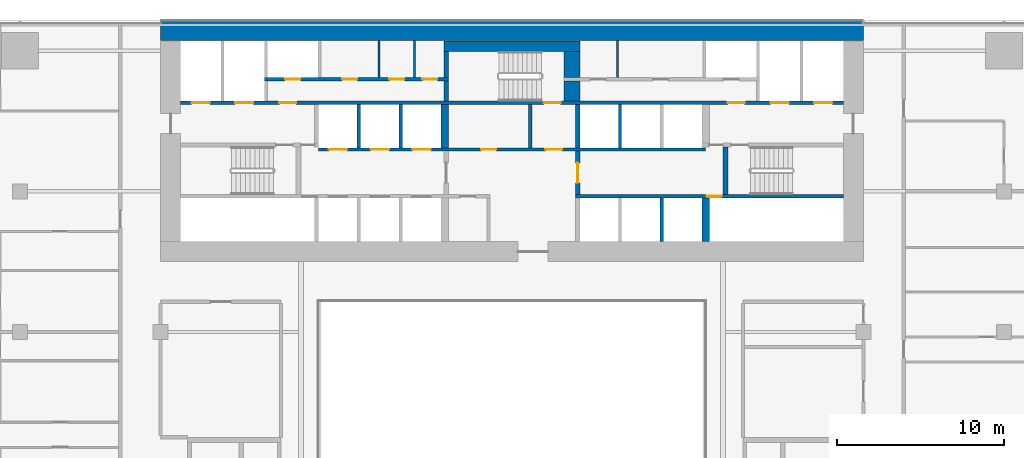
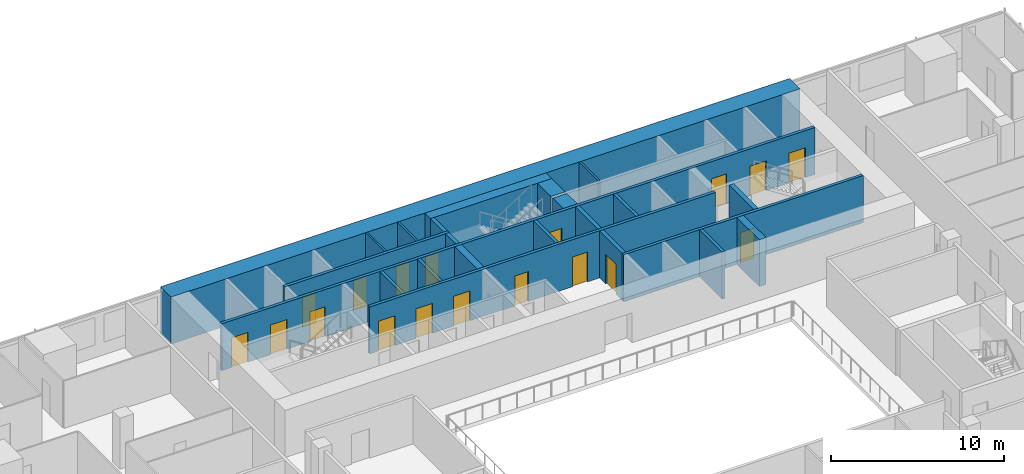
# One storey, part 22 of 28: 23 walls, 18 doors, 18 openings.
"""IFC4 building model written with IfcOpenShell, lengths in metres."""

from ifc_helpers import new_model, si_unit, direction, frame, frame_2d, origin, place, context, subcontext, project, spatial, rectangle, extrude, material, layer, layer_set, type_object, element, fill, save


model = new_model("IFC4")

# Units and contexts
model_context = context("Model", 3, precision=1e-05, world=origin(), true_north=direction((0.0, 1.0)))
body_context = subcontext(model_context, "Body", "Model", "MODEL_VIEW")
ifc_project = project(units=[si_unit("LENGTHUNIT", "METRE"), si_unit("AREAUNIT", "SQUARE_METRE"), si_unit("VOLUMEUNIT", "CUBIC_METRE"), si_unit("PLANEANGLEUNIT", "RADIAN"), si_unit("MASSUNIT", "GRAM", prefix="KILO")], contexts=[model_context])

# Site, building, storey
site_placement = place(None, origin())
site = spatial("IfcSite", under=ifc_project, at=site_placement, CompositionType="ELEMENT")
building_placement = place(site_placement, origin())
building = spatial("IfcBuilding", under=site, at=building_placement, Name="Saffron Gate Tower", CompositionType="ELEMENT")
storey_placement = place(building_placement, frame((0.0, 0.0, 51.60009765625)))
storey = spatial("IfcBuildingStorey", under=building, at=storey_placement, Name="L11", CompositionType="ELEMENT", Elevation=51.60009765625)

# Walls
ifc_material_1 = material(Name="Concrete C70", Category="concrete")
ifc_layer_1 = layer(ifc_material_1, 1.199951171875)
ifc_layer_set_1 = layer_set([ifc_layer_1], Name="CW1 RC core wall 1200 C70")
wall_type_1 = type_object("IfcWallType", Name="CW1 RC core wall 1200 C70", PredefinedType="SOLIDWALL", material=ifc_layer_set_1)
wall_1_placement = place(storey_placement, frame((66.60009765625, 75.0, 0.0), z_axis=(0.0, 0.0, 1.0), x_axis=(1.0, 0.0, 0.0)))
element("IfcWall", 1, at=wall_1_placement, inside=storey, type_object=wall_type_1, Name="Wall CW1-L11-2", PredefinedType="SOLIDWALL", context=body_context, shape_type="SweptSolid", body=[
    extrude(rectangle(XDim=42.0, YDim=1.199951171875, at=frame_2d((21.0, 0.0))), origin(), (0.0, 0.0, 1.0), 3.31982421875),
])
ifc_material_2 = material(Name="Gypsum board partition on steel studs", Category="steel")
ifc_layer_2 = layer(ifc_material_2, 0.199951171875)
ifc_layer_set_2 = layer_set([ifc_layer_2], Name="CW10 Core partition 200")
wall_type_2 = type_object("IfcWallType", Name="CW10 Core partition 200", PredefinedType="PARTITIONING", material=ifc_layer_set_2)
wall_2_placement = place(storey_placement, frame((88.699951171875, 68.0, 0.0), z_axis=(0.0, 0.0, 1.0), x_axis=(0.0, 1.0, 0.0)))
element("IfcWall", 2, at=wall_2_placement, inside=storey, type_object=wall_type_2, Name="Wall CW10-L11-24", PredefinedType="PARTITIONING", context=body_context, shape_type="SweptSolid", body=[
    extrude(rectangle(XDim=2.60009765625, YDim=0.199951171875, at=frame_2d((1.300048828125, 0.0))), origin(), (0.0, 0.0, 1.0), 3.31982421875),
])

# Wall, opening, door
ifc_layer_3 = layer(ifc_material_1, 0.25)
ifc_layer_set_3 = layer_set([ifc_layer_3], Name="CW2 RC core wall 250 C70")
wall_type_3 = type_object("IfcWallType", Name="CW2 RC core wall 250 C70", PredefinedType="SOLIDWALL", material=ifc_layer_set_3)
wall_3_placement = place(storey_placement, frame((91.52490234375, 65.199951171875, 0.0), z_axis=(0.0, 0.0, 1.0), x_axis=(0.0, 1.0, 0.0)))
wall_3 = element("IfcWall", 3, at=wall_3_placement, inside=storey, type_object=wall_type_3, Name="Wall CW2-L11-18", PredefinedType="SOLIDWALL", context=body_context, shape_type="SweptSolid", body=[
    extrude(rectangle(XDim=2.60009765625, YDim=0.25, at=frame_2d((1.300048828125, 0.0))), origin(), (0.0, 0.0, 1.0), 3.31982421875),
])
opening_1_placement = place(wall_3_placement, frame((0.699951171875, 0.0, 0.0)))
opening_1 = element("IfcOpeningElement", 4, at=opening_1_placement, cuts=wall_3, Name="Opening CR-01", PredefinedType="OPENING", context=body_context, shape_type="SweptSolid", body=[
    extrude(rectangle(XDim=1.199951171875, YDim=2.10009765625, at=frame_2d((0.60009765625, 1.050048828125))), frame((0.0, 0.135009765625, 0.0), z_axis=(0.0, -1.0, 0.0), x_axis=(1.0, 0.0, 0.0)), (0.0, 0.0, 1.0), 0.27001953125),
])
ifc_material_3 = material(Name="Steel fire door set", Category="steel")
door_type_1 = type_object("IfcDoorType", Name="CD3 Lobby door 1200x2100 EI 120", OperationType="NOTDEFINED", PredefinedType="DOOR", material=ifc_material_3)
door_1_placement = place(opening_1_placement, origin())
door_1 = element("IfcDoor", 5, at=door_1_placement, inside=storey, type_object=door_type_1, Name="DOOR CR-01", OperationType="SINGLE_SWING_RIGHT", OverallHeight=2.10009765625, OverallWidth=1.199951171875, PredefinedType="DOOR", context=body_context, shape_type="SweptSolid", body=[
    extrude(rectangle(XDim=1.199951171875, YDim=2.10009765625, at=frame_2d((0.60009765625, 1.050048828125))), frame((0.0, 0.02490234375, 0.0), z_axis=(0.0, -1.0, 0.0), x_axis=(1.0, 0.0, 0.0)), (0.0, 0.0, 1.0), 0.050048828125),
])
fill(opening_1, door_1)

# Walls
wall_4_placement = place(storey_placement, frame((91.52490234375, 68.0, 0.0), z_axis=(0.0, 0.0, 1.0), x_axis=(0.0, 1.0, 0.0)))
element("IfcWall", 6, at=wall_4_placement, inside=storey, type_object=wall_type_3, Name="Wall CW2-L11-25", PredefinedType="SOLIDWALL", context=body_context, shape_type="SweptSolid", body=[
    extrude(rectangle(XDim=2.60009765625, YDim=0.25, at=frame_2d((1.300048828125, 0.0))), origin(), (0.0, 0.0, 1.0), 3.31982421875),
])
wall_5_placement = place(storey_placement, frame((83.675048828125, 70.800048828125, 0.0), z_axis=(0.0, 0.0, 1.0), x_axis=(0.0, 1.0, 0.0)))
element("IfcWall", 7, at=wall_5_placement, inside=storey, type_object=wall_type_3, Name="Wall CW2-L11-36", PredefinedType="SOLIDWALL", context=body_context, shape_type="SweptSolid", body=[
    extrude(rectangle(XDim=1.199951171875, YDim=0.25, at=frame_2d((0.60009765625, 0.0))), origin(), (0.0, 0.0, 1.0), 3.31982421875),
])
wall_6_placement = place(storey_placement, frame((83.675048828125, 72.199951171875, 0.0), z_axis=(0.0, 0.0, 1.0), x_axis=(0.0, 1.0, 0.0)))
element("IfcWall", 8, at=wall_6_placement, inside=storey, type_object=wall_type_3, Name="Wall CW2-L11-46", PredefinedType="SOLIDWALL", context=body_context, shape_type="SweptSolid", body=[
    extrude(rectangle(XDim=1.550048828125, YDim=0.25, at=frame_2d((0.77490234375, 0.0))), origin(), (0.0, 0.0, 1.0), 3.31982421875),
])
ifc_layer_4 = layer(ifc_material_1, 0.199951171875)
ifc_layer_set_4 = layer_set([ifc_layer_4], Name="CW3 RC core wall 200 C70")
wall_type_4 = type_object("IfcWallType", Name="CW3 RC core wall 200 C70", PredefinedType="SOLIDWALL", material=ifc_layer_set_4)
wall_7_placement = place(storey_placement, frame((96.550048828125, 62.39990234375, 0.0), z_axis=(0.0, 0.0, 1.0), x_axis=(0.0, 1.0, 0.0)))
element("IfcWall", 9, at=wall_7_placement, inside=storey, type_object=wall_type_4, Name="Wall CW3-L11-12", PredefinedType="SOLIDWALL", context=body_context, shape_type="SweptSolid", body=[
    extrude(rectangle(XDim=2.60009765625, YDim=0.199951171875, at=frame_2d((1.300048828125, 0.0))), origin(), (0.0, 0.0, 1.0), 3.31982421875),
])

# Wall, opening, door
wall_8_placement = place(storey_placement, frame((91.39990234375, 65.10009765625, 0.0), z_axis=(0.0, 0.0, 1.0), x_axis=(1.0, 0.0, 0.0)))
wall_8 = element("IfcWall", 10, at=wall_8_placement, inside=storey, type_object=wall_type_4, Name="Wall CW3-L11-15", PredefinedType="SOLIDWALL", context=body_context, shape_type="SweptSolid", body=[
    extrude(rectangle(XDim=16.0, YDim=0.199951171875, at=frame_2d((8.0, 0.0))), origin(), (0.0, 0.0, 1.0), 3.31982421875),
])
opening_2_placement = place(wall_8_placement, frame((7.830078125, 0.0, 0.0)))
opening_2 = element("IfcOpeningElement", 11, at=opening_2_placement, cuts=wall_8, Name="Opening CR-48", PredefinedType="OPENING", context=body_context, shape_type="SweptSolid", body=[
    extrude(rectangle(XDim=0.89990234375, YDim=2.10009765625, at=frame_2d((0.449951171875, 1.050048828125))), frame((0.0, 0.10986328125, 0.0), z_axis=(0.0, -1.0, 0.0), x_axis=(1.0, 0.0, 0.0)), (0.0, 0.0, 1.0), 0.219970703125),
])
door_type_2 = type_object("IfcDoorType", Name="CD2 Riser door 900x2100 EI 60", OperationType="NOTDEFINED", PredefinedType="DOOR", material=ifc_material_3)
door_2_placement = place(opening_2_placement, origin())
door_2 = element("IfcDoor", 12, at=door_2_placement, inside=storey, type_object=door_type_2, Name="DOOR CR-48", OperationType="SINGLE_SWING_RIGHT", OverallHeight=2.10009765625, OverallWidth=0.89990234375, PredefinedType="DOOR", context=body_context, shape_type="SweptSolid", body=[
    extrude(rectangle(XDim=0.89990234375, YDim=2.10009765625, at=frame_2d((0.449951171875, 1.050048828125))), frame((0.0, 0.02490234375, 0.0), z_axis=(0.0, -1.0, 0.0), x_axis=(1.0, 0.0, 0.0)), (0.0, 0.0, 1.0), 0.050048828125),
])
fill(opening_2, door_2)

# Wall, openings, doors
wall_9_placement = place(storey_placement, frame((76.050048828125, 67.89990234375, 0.0), z_axis=(0.0, 0.0, 1.0), x_axis=(1.0, 0.0, 0.0)))
wall_9 = element("IfcWall", 13, at=wall_9_placement, inside=storey, type_object=wall_type_4, Name="Wall CW3-L11-20", PredefinedType="SOLIDWALL", context=body_context, shape_type="SweptSolid", body=[
    extrude(rectangle(XDim=23.099853515625, YDim=0.199951171875, at=frame_2d((11.5498046875, 0.0))), origin(), (0.0, 0.0, 1.0), 3.31982421875),
])
opening_3_placement = place(wall_9_placement, frame((0.60009765625, 0.0, 0.0)))
opening_3 = element("IfcOpeningElement", 14, at=opening_3_placement, cuts=wall_9, Name="Opening LD-LR4", PredefinedType="OPENING", context=body_context, shape_type="SweptSolid", body=[
    extrude(rectangle(XDim=1.10009765625, YDim=2.10009765625, at=frame_2d((0.550048828125, 1.050048828125))), frame((0.0, 0.10986328125, 0.0), z_axis=(0.0, -1.0, 0.0), x_axis=(1.0, 0.0, 0.0)), (0.0, 0.0, 1.0), 0.219970703125),
])
opening_4_placement = place(wall_9_placement, frame((3.10009765625, 0.0, 0.0)))
opening_4 = element("IfcOpeningElement", 15, at=opening_4_placement, cuts=wall_9, Name="Opening LD-LR5", PredefinedType="OPENING", context=body_context, shape_type="SweptSolid", body=[
    extrude(rectangle(XDim=1.10009765625, YDim=2.10009765625, at=frame_2d((0.550048828125, 1.050048828125))), frame((0.0, 0.10986328125, 0.0), z_axis=(0.0, -1.0, 0.0), x_axis=(1.0, 0.0, 0.0)), (0.0, 0.0, 1.0), 0.219970703125),
])
opening_5_placement = place(wall_9_placement, frame((5.60009765625, 0.0, 0.0)))
opening_5 = element("IfcOpeningElement", 16, at=opening_5_placement, cuts=wall_9, Name="Opening LD-LR6", PredefinedType="OPENING", context=body_context, shape_type="SweptSolid", body=[
    extrude(rectangle(XDim=1.10009765625, YDim=2.10009765625, at=frame_2d((0.550048828125, 1.050048828125))), frame((0.0, 0.10986328125, 0.0), z_axis=(0.0, -1.0, 0.0), x_axis=(1.0, 0.0, 0.0)), (0.0, 0.0, 1.0), 0.219970703125),
])
opening_6_placement = place(wall_9_placement, frame((9.699951171875, 0.0, 0.0)))
opening_6 = element("IfcOpeningElement", 17, at=opening_6_placement, cuts=wall_9, Name="Opening CR-67", PredefinedType="OPENING", context=body_context, shape_type="SweptSolid", body=[
    extrude(rectangle(XDim=0.89990234375, YDim=2.10009765625, at=frame_2d((0.449951171875, 1.050048828125))), frame((0.0, 0.10986328125, 0.0), z_axis=(0.0, -1.0, 0.0), x_axis=(1.0, 0.0, 0.0)), (0.0, 0.0, 1.0), 0.219970703125),
])
opening_7_placement = place(wall_9_placement, frame((13.550048828125, 0.0, 0.0)))
opening_7 = element("IfcOpeningElement", 18, at=opening_7_placement, cuts=wall_9, Name="Opening CR-02", PredefinedType="OPENING", context=body_context, shape_type="SweptSolid", body=[
    extrude(rectangle(XDim=1.0, YDim=2.10009765625, at=frame_2d((0.5, 1.050048828125))), frame((0.0, 0.10986328125, 0.0), z_axis=(0.0, -1.0, 0.0), x_axis=(1.0, 0.0, 0.0)), (0.0, 0.0, 1.0), 0.219970703125),
])
door_type_3 = type_object("IfcDoorType", Name="CD4 Lobby door 1000x2100 EI 120", OperationType="NOTDEFINED", PredefinedType="DOOR", material=ifc_material_3)
door_3_placement = place(opening_7_placement, origin())
door_3 = element("IfcDoor", 19, at=door_3_placement, inside=storey, type_object=door_type_3, Name="DOOR CR-02", OperationType="SINGLE_SWING_LEFT", OverallHeight=2.10009765625, OverallWidth=1.0, PredefinedType="DOOR", context=body_context, shape_type="SweptSolid", body=[
    extrude(rectangle(XDim=1.0, YDim=2.10009765625, at=frame_2d((0.5, 1.050048828125))), frame((0.0, 0.02490234375, 0.0), z_axis=(0.0, -1.0, 0.0), x_axis=(1.0, 0.0, 0.0)), (0.0, 0.0, 1.0), 0.050048828125),
])
fill(opening_7, door_3)
door_type_4 = type_object("IfcDoorType", Name="CD9 Room door 900x2100 EI 60", OperationType="NOTDEFINED", PredefinedType="DOOR", material=ifc_material_3)
door_4_placement = place(opening_6_placement, origin())
door_4 = element("IfcDoor", 20, at=door_4_placement, inside=storey, type_object=door_type_4, Name="DOOR CR-67", OperationType="SINGLE_SWING_LEFT", OverallHeight=2.10009765625, OverallWidth=0.89990234375, PredefinedType="DOOR", context=body_context, shape_type="SweptSolid", body=[
    extrude(rectangle(XDim=0.89990234375, YDim=2.10009765625, at=frame_2d((0.449951171875, 1.050048828125))), frame((0.0, 0.02490234375, 0.0), z_axis=(0.0, -1.0, 0.0), x_axis=(1.0, 0.0, 0.0)), (0.0, 0.0, 1.0), 0.050048828125),
])
fill(opening_6, door_4)
ifc_material_4 = material(Name="Stainless steel landing door", Category="steel")
door_type_5 = type_object("IfcDoorType", Name="LD Lift landing door 1100x2100 EI 120", OperationType="SLIDING_TO_LEFT", PredefinedType="DOOR", material=ifc_material_4)
door_5_placement = place(opening_3_placement, origin())
door_5 = element("IfcDoor", 21, at=door_5_placement, inside=storey, type_object=door_type_5, Name="LANDING DOOR LD-LR4", OperationType="SLIDING_TO_RIGHT", OverallHeight=2.10009765625, OverallWidth=1.10009765625, PredefinedType="DOOR", context=body_context, shape_type="SweptSolid", body=[
    extrude(rectangle(XDim=1.10009765625, YDim=2.10009765625, at=frame_2d((0.550048828125, 1.050048828125))), frame((0.0, 0.02490234375, 0.0), z_axis=(0.0, -1.0, 0.0), x_axis=(1.0, 0.0, 0.0)), (0.0, 0.0, 1.0), 0.050048828125),
])
fill(opening_3, door_5)
door_6_placement = place(opening_4_placement, origin())
door_6 = element("IfcDoor", 22, at=door_6_placement, inside=storey, type_object=door_type_5, Name="LANDING DOOR LD-LR5", OperationType="SLIDING_TO_RIGHT", OverallHeight=2.10009765625, OverallWidth=1.10009765625, PredefinedType="DOOR", context=body_context, shape_type="SweptSolid", body=[
    extrude(rectangle(XDim=1.10009765625, YDim=2.10009765625, at=frame_2d((0.550048828125, 1.050048828125))), frame((0.0, 0.02490234375, 0.0), z_axis=(0.0, -1.0, 0.0), x_axis=(1.0, 0.0, 0.0)), (0.0, 0.0, 1.0), 0.050048828125),
])
fill(opening_4, door_6)
door_7_placement = place(opening_5_placement, origin())
door_7 = element("IfcDoor", 23, at=door_7_placement, inside=storey, type_object=door_type_5, Name="LANDING DOOR LD-LR6", OperationType="SLIDING_TO_RIGHT", OverallHeight=2.10009765625, OverallWidth=1.10009765625, PredefinedType="DOOR", context=body_context, shape_type="SweptSolid", body=[
    extrude(rectangle(XDim=1.10009765625, YDim=2.10009765625, at=frame_2d((0.550048828125, 1.050048828125))), frame((0.0, 0.02490234375, 0.0), z_axis=(0.0, -1.0, 0.0), x_axis=(1.0, 0.0, 0.0)), (0.0, 0.0, 1.0), 0.050048828125),
])
fill(opening_5, door_7)

# Walls
for number, where, z_axis, x_axis, name in (
    (24, (78.449951171875, 68.0, 0.0), (0.0, 0.0, 1.0), (0.0, 1.0, 0.0), "Wall CW3-L11-21"),
    (25, (80.949951171875, 68.0, 0.0), (0.0, 0.0, 1.0), (0.0, 1.0, 0.0), "Wall CW3-L11-22"),
    (26, (94.050048828125, 68.0, 0.0), (0.0, 0.0, 1.0), (0.0, 1.0, 0.0), "Wall CW3-L11-26"),
):
    element("IfcWall", number, at=place(storey_placement, frame(where, z_axis=z_axis, x_axis=x_axis)), inside=storey, type_object=wall_type_4, Name=name, PredefinedType="SOLIDWALL", context=body_context, shape_type="SweptSolid", body=[
        extrude(rectangle(XDim=2.60009765625, YDim=0.199951171875, at=frame_2d((1.300048828125, 0.0))), origin(), (0.0, 0.0, 1.0), 3.31982421875),
    ])

# Wall, openings, doors
wall_10_placement = place(storey_placement, frame((67.800048828125, 70.699951171875, 0.0), z_axis=(0.0, 0.0, 1.0), x_axis=(1.0, 0.0, 0.0)))
wall_10 = element("IfcWall", 27, at=wall_10_placement, inside=storey, type_object=wall_type_4, Name="Wall CW3-L11-33", PredefinedType="SOLIDWALL", context=body_context, shape_type="SweptSolid", body=[
    extrude(rectangle(XDim=39.599853515625, YDim=0.199951171875, at=frame_2d((19.7998046875, 0.0))), origin(), (0.0, 0.0, 1.0), 3.31982421875),
])
opening_8_placement = place(wall_10_placement, frame((0.64990234375, 0.0, 0.0)))
opening_8 = element("IfcOpeningElement", 28, at=opening_8_placement, cuts=wall_10, Name="Opening LD-FF1", PredefinedType="OPENING", context=body_context, shape_type="SweptSolid", body=[
    extrude(rectangle(XDim=1.10009765625, YDim=2.10009765625, at=frame_2d((0.550048828125, 1.050048828125))), frame((0.0, 0.10986328125, 0.0), z_axis=(0.0, -1.0, 0.0), x_axis=(1.0, 0.0, 0.0)), (0.0, 0.0, 1.0), 0.219970703125),
])
opening_9_placement = place(wall_10_placement, frame((3.25, 0.0, 0.0)))
opening_9 = element("IfcOpeningElement", 29, at=opening_9_placement, cuts=wall_10, Name="Opening LD-SV1", PredefinedType="OPENING", context=body_context, shape_type="SweptSolid", body=[
    extrude(rectangle(XDim=1.10009765625, YDim=2.10009765625, at=frame_2d((0.550048828125, 1.050048828125))), frame((0.0, 0.10986328125, 0.0), z_axis=(0.0, -1.0, 0.0), x_axis=(1.0, 0.0, 0.0)), (0.0, 0.0, 1.0), 0.219970703125),
])
opening_10_placement = place(wall_10_placement, frame((5.89990234375, 0.0, 0.0)))
opening_10 = element("IfcOpeningElement", 30, at=opening_10_placement, cuts=wall_10, Name="Opening CR-03", PredefinedType="OPENING", context=body_context, shape_type="SweptSolid", body=[
    extrude(rectangle(XDim=1.0, YDim=2.10009765625, at=frame_2d((0.5, 1.050048828125))), frame((0.0, 0.10986328125, 0.0), z_axis=(0.0, -1.0, 0.0), x_axis=(1.0, 0.0, 0.0)), (0.0, 0.0, 1.0), 0.219970703125),
])
opening_11_placement = place(wall_10_placement, frame((21.699951171875, 0.0, 0.0)))
opening_11 = element("IfcOpeningElement", 31, at=opening_11_placement, cuts=wall_10, Name="Opening CR-17", PredefinedType="OPENING", context=body_context, shape_type="SweptSolid", body=[
    extrude(rectangle(XDim=1.0, YDim=2.10009765625, at=frame_2d((0.5, 1.050048828125))), frame((0.0, 0.10986328125, 0.0), z_axis=(0.0, -1.0, 0.0), x_axis=(1.0, 0.0, 0.0)), (0.0, 0.0, 1.0), 0.219970703125),
])
opening_12_placement = place(wall_10_placement, frame((32.699951171875, 0.0, 0.0)))
opening_12 = element("IfcOpeningElement", 32, at=opening_12_placement, cuts=wall_10, Name="Opening CR-04", PredefinedType="OPENING", context=body_context, shape_type="SweptSolid", body=[
    extrude(rectangle(XDim=1.0, YDim=2.10009765625, at=frame_2d((0.5, 1.050048828125))), frame((0.0, 0.10986328125, 0.0), z_axis=(0.0, -1.0, 0.0), x_axis=(1.0, 0.0, 0.0)), (0.0, 0.0, 1.0), 0.219970703125),
])
opening_13_placement = place(wall_10_placement, frame((35.25, 0.0, 0.0)))
opening_13 = element("IfcOpeningElement", 33, at=opening_13_placement, cuts=wall_10, Name="Opening LD-SV2", PredefinedType="OPENING", context=body_context, shape_type="SweptSolid", body=[
    extrude(rectangle(XDim=1.10009765625, YDim=2.10009765625, at=frame_2d((0.550048828125, 1.050048828125))), frame((0.0, 0.10986328125, 0.0), z_axis=(0.0, -1.0, 0.0), x_axis=(1.0, 0.0, 0.0)), (0.0, 0.0, 1.0), 0.219970703125),
])
opening_14_placement = place(wall_10_placement, frame((37.85009765625, 0.0, 0.0)))
opening_14 = element("IfcOpeningElement", 34, at=opening_14_placement, cuts=wall_10, Name="Opening LD-FF2", PredefinedType="OPENING", context=body_context, shape_type="SweptSolid", body=[
    extrude(rectangle(XDim=1.10009765625, YDim=2.10009765625, at=frame_2d((0.550048828125, 1.050048828125))), frame((0.0, 0.10986328125, 0.0), z_axis=(0.0, -1.0, 0.0), x_axis=(1.0, 0.0, 0.0)), (0.0, 0.0, 1.0), 0.219970703125),
])
door_8_placement = place(opening_10_placement, origin())
door_8 = element("IfcDoor", 35, at=door_8_placement, inside=storey, type_object=door_type_3, Name="DOOR CR-03", OperationType="SINGLE_SWING_LEFT", OverallHeight=2.10009765625, OverallWidth=1.0, PredefinedType="DOOR", context=body_context, shape_type="SweptSolid", body=[
    extrude(rectangle(XDim=1.0, YDim=2.10009765625, at=frame_2d((0.5, 1.050048828125))), frame((0.0, 0.02490234375, 0.0), z_axis=(0.0, -1.0, 0.0), x_axis=(1.0, 0.0, 0.0)), (0.0, 0.0, 1.0), 0.050048828125),
])
fill(opening_10, door_8)
door_9_placement = place(opening_12_placement, origin())
door_9 = element("IfcDoor", 36, at=door_9_placement, inside=storey, type_object=door_type_3, Name="DOOR CR-04", OperationType="SINGLE_SWING_RIGHT", OverallHeight=2.10009765625, OverallWidth=1.0, PredefinedType="DOOR", context=body_context, shape_type="SweptSolid", body=[
    extrude(rectangle(XDim=1.0, YDim=2.10009765625, at=frame_2d((0.5, 1.050048828125))), frame((0.0, 0.02490234375, 0.0), z_axis=(0.0, -1.0, 0.0), x_axis=(1.0, 0.0, 0.0)), (0.0, 0.0, 1.0), 0.050048828125),
])
fill(opening_12, door_9)
door_type_6 = type_object("IfcDoorType", Name="CD5 Stair door 1000x2100 EI 120", OperationType="NOTDEFINED", PredefinedType="DOOR", material=ifc_material_3)
door_10_placement = place(opening_11_placement, origin())
door_10 = element("IfcDoor", 37, at=door_10_placement, inside=storey, type_object=door_type_6, Name="DOOR CR-17", OperationType="SINGLE_SWING_RIGHT", OverallHeight=2.10009765625, OverallWidth=1.0, PredefinedType="DOOR", context=body_context, shape_type="SweptSolid", body=[
    extrude(rectangle(XDim=1.0, YDim=2.10009765625, at=frame_2d((0.5, 1.050048828125))), frame((0.0, 0.02490234375, 0.0), z_axis=(0.0, -1.0, 0.0), x_axis=(1.0, 0.0, 0.0)), (0.0, 0.0, 1.0), 0.050048828125),
])
fill(opening_11, door_10)
door_11_placement = place(opening_8_placement, origin())
door_11 = element("IfcDoor", 38, at=door_11_placement, inside=storey, type_object=door_type_5, Name="LANDING DOOR LD-FF1", OperationType="SLIDING_TO_RIGHT", OverallHeight=2.10009765625, OverallWidth=1.10009765625, PredefinedType="DOOR", context=body_context, shape_type="SweptSolid", body=[
    extrude(rectangle(XDim=1.10009765625, YDim=2.10009765625, at=frame_2d((0.550048828125, 1.050048828125))), frame((0.0, 0.02490234375, 0.0), z_axis=(0.0, -1.0, 0.0), x_axis=(1.0, 0.0, 0.0)), (0.0, 0.0, 1.0), 0.050048828125),
])
fill(opening_8, door_11)
door_12_placement = place(opening_9_placement, origin())
door_12 = element("IfcDoor", 39, at=door_12_placement, inside=storey, type_object=door_type_5, Name="LANDING DOOR LD-SV1", OperationType="SLIDING_TO_RIGHT", OverallHeight=2.10009765625, OverallWidth=1.10009765625, PredefinedType="DOOR", context=body_context, shape_type="SweptSolid", body=[
    extrude(rectangle(XDim=1.10009765625, YDim=2.10009765625, at=frame_2d((0.550048828125, 1.050048828125))), frame((0.0, 0.02490234375, 0.0), z_axis=(0.0, -1.0, 0.0), x_axis=(1.0, 0.0, 0.0)), (0.0, 0.0, 1.0), 0.050048828125),
])
fill(opening_9, door_12)
door_13_placement = place(opening_13_placement, origin())
door_13 = element("IfcDoor", 40, at=door_13_placement, inside=storey, type_object=door_type_5, Name="LANDING DOOR LD-SV2", OperationType="SLIDING_TO_RIGHT", OverallHeight=2.10009765625, OverallWidth=1.10009765625, PredefinedType="DOOR", context=body_context, shape_type="SweptSolid", body=[
    extrude(rectangle(XDim=1.10009765625, YDim=2.10009765625, at=frame_2d((0.550048828125, 1.050048828125))), frame((0.0, 0.02490234375, 0.0), z_axis=(0.0, -1.0, 0.0), x_axis=(1.0, 0.0, 0.0)), (0.0, 0.0, 1.0), 0.050048828125),
])
fill(opening_13, door_13)
door_14_placement = place(opening_14_placement, origin())
door_14 = element("IfcDoor", 41, at=door_14_placement, inside=storey, type_object=door_type_5, Name="LANDING DOOR LD-FF2", OperationType="SLIDING_TO_RIGHT", OverallHeight=2.10009765625, OverallWidth=1.10009765625, PredefinedType="DOOR", context=body_context, shape_type="SweptSolid", body=[
    extrude(rectangle(XDim=1.10009765625, YDim=2.10009765625, at=frame_2d((0.550048828125, 1.050048828125))), frame((0.0, 0.02490234375, 0.0), z_axis=(0.0, -1.0, 0.0), x_axis=(1.0, 0.0, 0.0)), (0.0, 0.0, 1.0), 0.050048828125),
])
fill(opening_14, door_14)

wall_11_placement = place(storey_placement, frame((72.800048828125, 72.10009765625, 0.0), z_axis=(0.0, 0.0, 1.0), x_axis=(1.0, 0.0, 0.0)))
wall_11 = element("IfcWall", 42, at=wall_11_placement, inside=storey, type_object=wall_type_4, Name="Wall CW3-L11-40", PredefinedType="SOLIDWALL", context=body_context, shape_type="SweptSolid", body=[
    extrude(rectangle(XDim=11.0, YDim=0.199951171875, at=frame_2d((5.5, 0.0))), origin(), (0.0, 0.0, 1.0), 3.31982421875),
])
opening_15_placement = place(wall_11_placement, frame((1.25, 0.0, 0.0)))
opening_15 = element("IfcOpeningElement", 43, at=opening_15_placement, cuts=wall_11, Name="Opening CR-71", PredefinedType="OPENING", context=body_context, shape_type="SweptSolid", body=[
    extrude(rectangle(XDim=0.89990234375, YDim=2.10009765625, at=frame_2d((0.449951171875, 1.050048828125))), frame((0.0, 0.10986328125, 0.0), z_axis=(0.0, -1.0, 0.0), x_axis=(1.0, 0.0, 0.0)), (0.0, 0.0, 1.0), 0.219970703125),
])
opening_16_placement = place(wall_11_placement, frame((4.64990234375, 0.0, 0.0)))
opening_16 = element("IfcOpeningElement", 44, at=opening_16_placement, cuts=wall_11, Name="Opening CR-55", PredefinedType="OPENING", context=body_context, shape_type="SweptSolid", body=[
    extrude(rectangle(XDim=0.89990234375, YDim=2.10009765625, at=frame_2d((0.449951171875, 1.050048828125))), frame((0.0, 0.10986328125, 0.0), z_axis=(0.0, -1.0, 0.0), x_axis=(1.0, 0.0, 0.0)), (0.0, 0.0, 1.0), 0.219970703125),
])
opening_17_placement = place(wall_11_placement, frame((7.469970703125, 0.0, 0.0)))
opening_17 = element("IfcOpeningElement", 45, at=opening_17_placement, cuts=wall_11, Name="Opening CR-58", PredefinedType="OPENING", context=body_context, shape_type="SweptSolid", body=[
    extrude(rectangle(XDim=0.89990234375, YDim=2.10009765625, at=frame_2d((0.449951171875, 1.050048828125))), frame((0.0, 0.10986328125, 0.0), z_axis=(0.0, -1.0, 0.0), x_axis=(1.0, 0.0, 0.0)), (0.0, 0.0, 1.0), 0.219970703125),
])
opening_18_placement = place(wall_11_placement, frame((9.445068359375, 0.0, 0.0)))
opening_18 = element("IfcOpeningElement", 46, at=opening_18_placement, cuts=wall_11, Name="Opening CR-59", PredefinedType="OPENING", context=body_context, shape_type="SweptSolid", body=[
    extrude(rectangle(XDim=0.89990234375, YDim=2.10009765625, at=frame_2d((0.449951171875, 1.050048828125))), frame((0.0, 0.10986328125, 0.0), z_axis=(0.0, -1.0, 0.0), x_axis=(1.0, 0.0, 0.0)), (0.0, 0.0, 1.0), 0.219970703125),
])
door_15_placement = place(opening_15_placement, origin())
door_15 = element("IfcDoor", 47, at=door_15_placement, inside=storey, type_object=door_type_2, Name="DOOR CR-71", OperationType="SINGLE_SWING_LEFT", OverallHeight=2.10009765625, OverallWidth=0.89990234375, PredefinedType="DOOR", context=body_context, shape_type="SweptSolid", body=[
    extrude(rectangle(XDim=0.89990234375, YDim=2.10009765625, at=frame_2d((0.449951171875, 1.050048828125))), frame((0.0, 0.02490234375, 0.0), z_axis=(0.0, -1.0, 0.0), x_axis=(1.0, 0.0, 0.0)), (0.0, 0.0, 1.0), 0.050048828125),
])
fill(opening_15, door_15)
door_16_placement = place(opening_16_placement, origin())
door_16 = element("IfcDoor", 48, at=door_16_placement, inside=storey, type_object=door_type_4, Name="DOOR CR-55", OperationType="SINGLE_SWING_LEFT", OverallHeight=2.10009765625, OverallWidth=0.89990234375, PredefinedType="DOOR", context=body_context, shape_type="SweptSolid", body=[
    extrude(rectangle(XDim=0.89990234375, YDim=2.10009765625, at=frame_2d((0.449951171875, 1.050048828125))), frame((0.0, 0.02490234375, 0.0), z_axis=(0.0, -1.0, 0.0), x_axis=(1.0, 0.0, 0.0)), (0.0, 0.0, 1.0), 0.050048828125),
])
fill(opening_16, door_16)
door_17_placement = place(opening_17_placement, origin())
door_17 = element("IfcDoor", 49, at=door_17_placement, inside=storey, type_object=door_type_4, Name="DOOR CR-58", OperationType="SINGLE_SWING_LEFT", OverallHeight=2.10009765625, OverallWidth=0.89990234375, PredefinedType="DOOR", context=body_context, shape_type="SweptSolid", body=[
    extrude(rectangle(XDim=0.89990234375, YDim=2.10009765625, at=frame_2d((0.449951171875, 1.050048828125))), frame((0.0, 0.02490234375, 0.0), z_axis=(0.0, -1.0, 0.0), x_axis=(1.0, 0.0, 0.0)), (0.0, 0.0, 1.0), 0.050048828125),
])
fill(opening_17, door_17)
door_18_placement = place(opening_18_placement, origin())
door_18 = element("IfcDoor", 50, at=door_18_placement, inside=storey, type_object=door_type_4, Name="DOOR CR-59", OperationType="SINGLE_SWING_LEFT", OverallHeight=2.10009765625, OverallWidth=0.89990234375, PredefinedType="DOOR", context=body_context, shape_type="SweptSolid", body=[
    extrude(rectangle(XDim=0.89990234375, YDim=2.10009765625, at=frame_2d((0.449951171875, 1.050048828125))), frame((0.0, 0.02490234375, 0.0), z_axis=(0.0, -1.0, 0.0), x_axis=(1.0, 0.0, 0.0)), (0.0, 0.0, 1.0), 0.050048828125),
])
fill(opening_18, door_18)

# Walls
ifc_layer_5 = layer(ifc_material_1, 0.449951171875)
ifc_layer_set_5 = layer_set([ifc_layer_5], Name="CW4 RC core wall 450 C70")
wall_type_5 = type_object("IfcWallType", Name="CW4 RC core wall 450 C70", PredefinedType="SOLIDWALL", material=ifc_layer_set_5)
for number, where, z_axis, x_axis, name in (
    (51, (99.175048828125, 62.39990234375, 0.0), (0.0, 0.0, 1.0), (0.0, 1.0, 0.0), "Wall CW4-L11-13"),
    (52, (83.574951171875, 68.0, 0.0), (0.0, 0.0, 1.0), (0.0, 1.0, 0.0), "Wall CW4-L11-23"),
):
    element("IfcWall", number, at=place(storey_placement, frame(where, z_axis=z_axis, x_axis=x_axis)), inside=storey, type_object=wall_type_5, Name=name, PredefinedType="SOLIDWALL", context=body_context, shape_type="SweptSolid", body=[
        extrude(rectangle(XDim=2.60009765625, YDim=0.449951171875, at=frame_2d((1.300048828125, 0.0))), origin(), (0.0, 0.0, 1.0), 3.31982421875),
    ])
ifc_layer_6 = layer(ifc_material_1, 0.300048828125)
ifc_layer_set_6 = layer_set([ifc_layer_6], Name="CW5 RC core wall 300 C70")
wall_type_6 = type_object("IfcWallType", Name="CW5 RC core wall 300 C70", PredefinedType="SOLIDWALL", material=ifc_layer_set_6)
wall_12_placement = place(storey_placement, frame((100.35009765625, 65.199951171875, 0.0), z_axis=(0.0, 0.0, 1.0), x_axis=(0.0, 1.0, 0.0)))
element("IfcWall", 53, at=wall_12_placement, inside=storey, type_object=wall_type_6, Name="Wall CW5-L11-19", PredefinedType="SOLIDWALL", context=body_context, shape_type="SweptSolid", body=[
    extrude(rectangle(XDim=2.85009765625, YDim=0.300048828125, at=frame_2d((1.425048828125, 0.0))), origin(), (0.0, 0.0, 1.0), 3.31982421875),
])
ifc_layer_7 = layer(ifc_material_1, 0.949951171875)
ifc_layer_set_7 = layer_set([ifc_layer_7], Name="CW7 RC core wall 950 C70")
wall_type_7 = type_object("IfcWallType", Name="CW7 RC core wall 950 C70", PredefinedType="SOLIDWALL", material=ifc_layer_set_7)
wall_13_placement = place(storey_placement, frame((91.175048828125, 70.800048828125, 0.0), z_axis=(0.0, 0.0, 1.0), x_axis=(0.0, 1.0, 0.0)))
element("IfcWall", 54, at=wall_13_placement, inside=storey, type_object=wall_type_7, Name="Wall CW7-L11-37", PredefinedType="SOLIDWALL", context=body_context, shape_type="SweptSolid", body=[
    extrude(rectangle(XDim=1.199951171875, YDim=0.949951171875, at=frame_2d((0.60009765625, 0.0))), origin(), (0.0, 0.0, 1.0), 3.31982421875),
])
wall_14_placement = place(storey_placement, frame((91.175048828125, 72.199951171875, 0.0), z_axis=(0.0, 0.0, 1.0), x_axis=(0.0, 1.0, 0.0)))
element("IfcWall", 55, at=wall_14_placement, inside=storey, type_object=wall_type_7, Name="Wall CW7-L11-47", PredefinedType="SOLIDWALL", context=body_context, shape_type="SweptSolid", body=[
    extrude(rectangle(XDim=1.550048828125, YDim=0.949951171875, at=frame_2d((0.77490234375, 0.0))), origin(), (0.0, 0.0, 1.0), 3.31982421875),
])
ifc_layer_8 = layer(ifc_material_2, 0.1201171875)
ifc_layer_set_8 = layer_set([ifc_layer_8], Name="CW8 Core partition 120")
wall_type_8 = type_object("IfcWallType", Name="CW8 Core partition 120", PredefinedType="PARTITIONING", material=ifc_layer_set_8)
for number, where, z_axis, x_axis, name in (
    (56, (79.659912109375, 72.199951171875, 0.0), (0.0, 0.0, 1.0), (0.0, 1.0, 0.0), "Wall CW8-L11-44"),
    (57, (81.780029296875, 72.199951171875, 0.0), (0.0, 0.0, 1.0), (0.0, 1.0, 0.0), "Wall CW8-L11-45"),
    (58, (93.909912109375, 72.199951171875, 0.0), (0.0, 0.0, 1.0), (0.0, 1.0, 0.0), "Wall CW8-L11-48"),
):
    element("IfcWall", number, at=place(storey_placement, frame(where, z_axis=z_axis, x_axis=x_axis)), inside=storey, type_object=wall_type_8, Name=name, PredefinedType="PARTITIONING", context=body_context, shape_type="SweptSolid", body=[
        extrude(rectangle(XDim=2.199951171875, YDim=0.1201171875, at=frame_2d((1.10009765625, 0.0))), origin(), (0.0, 0.0, 1.0), 3.31982421875),
    ])
ifc_layer_9 = layer(ifc_material_1, 0.64990234375)
ifc_layer_set_9 = layer_set([ifc_layer_9], Name="CW9 RC core wall 650 C70")
wall_type_9 = type_object("IfcWallType", Name="CW9 RC core wall 650 C70", PredefinedType="SOLIDWALL", material=ifc_layer_set_9)
wall_15_placement = place(storey_placement, frame((83.550048828125, 74.074951171875, 0.0), z_axis=(0.0, 0.0, 1.0), x_axis=(1.0, 0.0, 0.0)))
element("IfcWall", 59, at=wall_15_placement, inside=storey, type_object=wall_type_9, Name="Wall CW9-L11-51", PredefinedType="SOLIDWALL", context=body_context, shape_type="SweptSolid", body=[
    extrude(rectangle(XDim=8.099853515625, YDim=0.64990234375, at=frame_2d((4.0498046875, 0.0))), origin(), (0.0, 0.0, 1.0), 3.31982421875),
])

save(model, "model.ifc")
